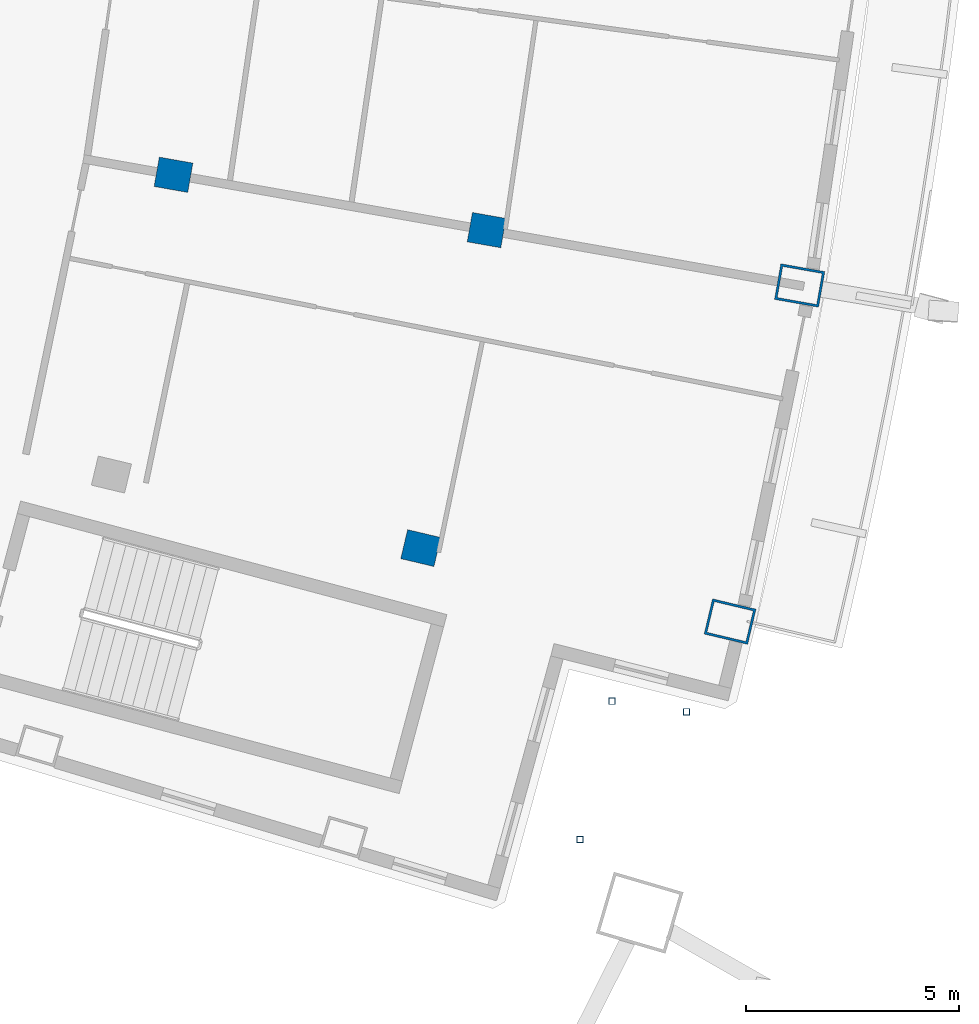
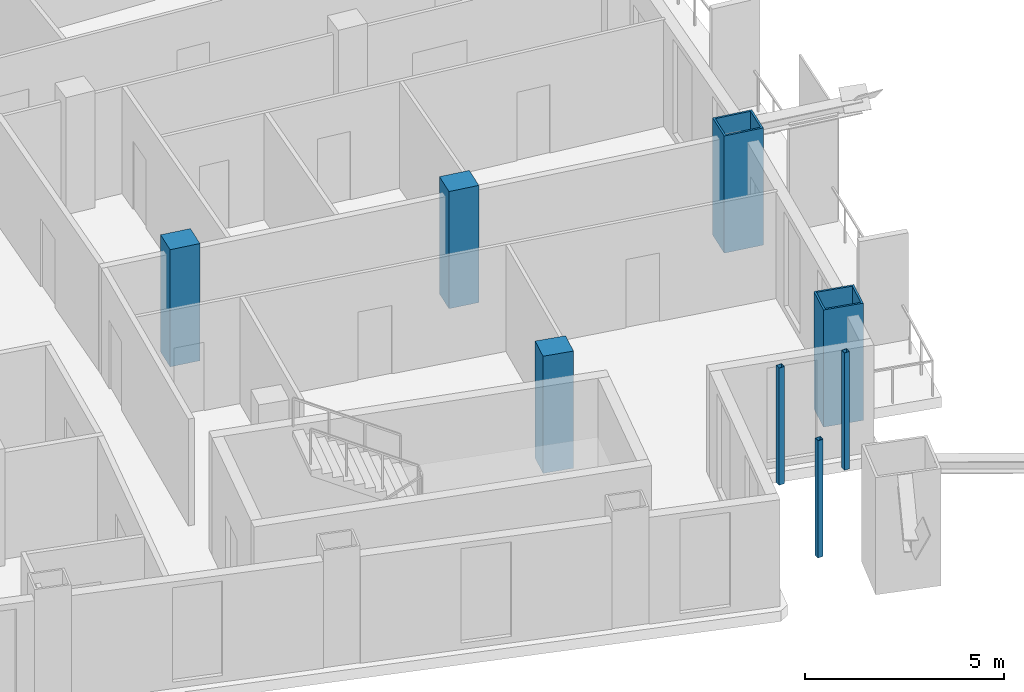
# One storey, part 5 of 21: 8 columns.
"""IFC4 building model written with IfcOpenShell, lengths in metres."""

from ifc_helpers import new_model, si_unit, direction, frame, origin, origin_2d, place, context, subcontext, project, spatial, rectangle, hollow_rectangle, extrude, material, material_profile, profile_set, type_object, element, save


model = new_model("IFC4")

# Units and contexts
model_context = context("Model", 3, precision=1e-05, world=origin(), true_north=direction((0.0, 1.0)))
body_context = subcontext(model_context, "Body", "Model", "MODEL_VIEW")
ifc_project = project(units=[si_unit("LENGTHUNIT", "METRE"), si_unit("AREAUNIT", "SQUARE_METRE"), si_unit("VOLUMEUNIT", "CUBIC_METRE"), si_unit("PLANEANGLEUNIT", "RADIAN"), si_unit("MASSUNIT", "GRAM", prefix="KILO")], contexts=[model_context])

# Site, building, storey
site_placement = place(None, origin())
site = spatial("IfcSite", under=ifc_project, at=site_placement, CompositionType="ELEMENT")
building_placement = place(site_placement, origin())
building = spatial("IfcBuilding", under=site, at=building_placement, Name="Alderwake Tower", CompositionType="ELEMENT")
storey_placement = place(building_placement, frame((0.0, 0.0, 207.199951171875)))
storey = spatial("IfcBuildingStorey", under=building, at=storey_placement, Name="L51", CompositionType="ELEMENT", Elevation=207.199951171875)

# Columns
ifc_material_1 = material(Name="Concrete C70/85", Category="concrete")
ifc_material_profile_1 = material_profile(ifc_material_1, rectangle(XDim=0.699951171875, YDim=0.800048828125, at=origin_2d()), Name="RC 800X700")
ifc_profile_set_1 = profile_set([ifc_material_profile_1], Name="Concrete C70/85")
column_type_1 = type_object("IfcColumnType", Name="Interior column Z4", PredefinedType="COLUMN", material=ifc_profile_set_1)
for number, where, z_axis, x_axis, name in (
    (1, (47.190673828125, 30.771484375, 0.0), (0.0, 0.0, 1.0), (0.231221547198, 0.972901123502, 0.0), "Column R03-C4"),
    (2, (41.384033203125, 39.538330078125, 0.0), (0.0, 0.0, 1.0), (0.174107082075, 0.984726725529, 0.0), "Column R04-C3"),
    (3, (48.736572265625, 38.23828125, 0.0), (0.0, 0.0, 1.0), (0.174107082075, 0.984726725529, 0.0), "Column R04-C4"),
):
    element("IfcColumn", number, at=place(storey_placement, frame(where, z_axis=z_axis, x_axis=x_axis)), inside=storey, type_object=column_type_1, Name=name, PredefinedType="COLUMN", context=body_context, shape_type="SweptSolid", body=[
        extrude(rectangle(XDim=0.699951171875, YDim=0.800048828125, at=origin_2d()), origin(), (0.0, 0.0, 1.0), 3.60009765625),
    ])
ifc_material_2 = material(Name="Steel ASTM A500 Grade C", Category="steel")
ifc_material_profile_2 = material_profile(ifc_material_2, hollow_rectangle(XDim=0.15234375, YDim=0.15234375, WallThickness=0.0087890625, at=origin_2d()), Name="HSS6X6X3/8")
ifc_profile_set_2 = profile_set([ifc_material_profile_2], Name="Steel ASTM A500 Grade C")
column_type_2 = type_object("IfcColumnType", Name="Light post HSS6X6X3/8", PredefinedType="COLUMN", material=ifc_profile_set_2)
for number, where, z_axis, x_axis, name in (
    (4, (53.4326171875, 26.925537109375, 0.0), (0.0, 0.0, 1.0), (1.0, 0.0, 0.0), "Terrace post FS1"),
    (5, (50.9326171875, 23.925537109375, 0.0), (0.0, 0.0, 1.0), (1.0, 0.0, 0.0), "Terrace post FS2"),
    (6, (51.6826171875, 27.175537109375, 0.0), (0.0, 0.0, 1.0), (1.0, 0.0, 0.0), "Terrace post FS3"),
):
    element("IfcColumn", number, at=place(storey_placement, frame(where, z_axis=z_axis, x_axis=x_axis)), inside=storey, type_object=column_type_2, Name=name, PredefinedType="COLUMN", context=body_context, shape_type="SweptSolid", body=[
        extrude(hollow_rectangle(XDim=0.15234375, YDim=0.15234375, WallThickness=0.0087890625, at=origin_2d()), origin(), (0.0, 0.0, 1.0), 3.60009765625),
    ])
ifc_material_3 = material(Name="Steel ASTM A572 Grade 50 concrete filled C70/85", Category="concrete")
ifc_material_profile_3 = material_profile(ifc_material_3, hollow_rectangle(XDim=0.85009765625, YDim=1.050048828125, WallThickness=0.054931640625, at=origin_2d()), Name="BOX 1050X850X55")
ifc_profile_set_3 = profile_set([ifc_material_profile_3], Name="Steel ASTM A572 Grade 50 concrete filled C70/85")
column_type_3 = type_object("IfcColumnType", Name="Perimeter column Z4", PredefinedType="COLUMN", material=ifc_profile_set_3)
for number, where, z_axis, x_axis, name in (
    (7, (54.454833984375, 29.045166015625, 0.0), (0.0, 0.0, 1.0), (0.231221547198, 0.972901123502, 0.0), "Column R03-C5"),
    (8, (56.089111328125, 36.938232421875, 0.0), (0.0, 0.0, 1.0), (0.174107082075, 0.984726725529, 0.0), "Column R04-C5"),
):
    element("IfcColumn", number, at=place(storey_placement, frame(where, z_axis=z_axis, x_axis=x_axis)), inside=storey, type_object=column_type_3, Name=name, PredefinedType="COLUMN", context=body_context, shape_type="SweptSolid", body=[
        extrude(hollow_rectangle(XDim=0.85009765625, YDim=1.050048828125, WallThickness=0.054931640625, at=origin_2d()), origin(), (0.0, 0.0, 1.0), 3.60009765625),
    ])

save(model, "model.ifc")
